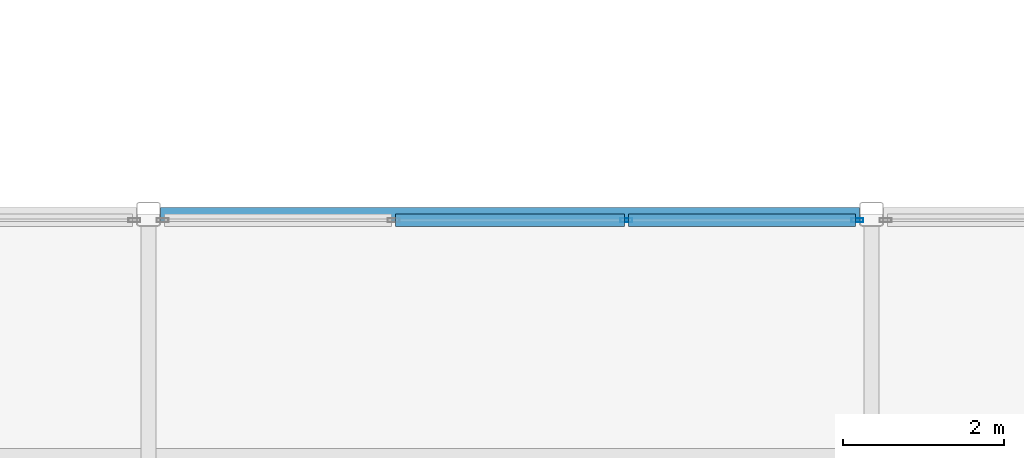
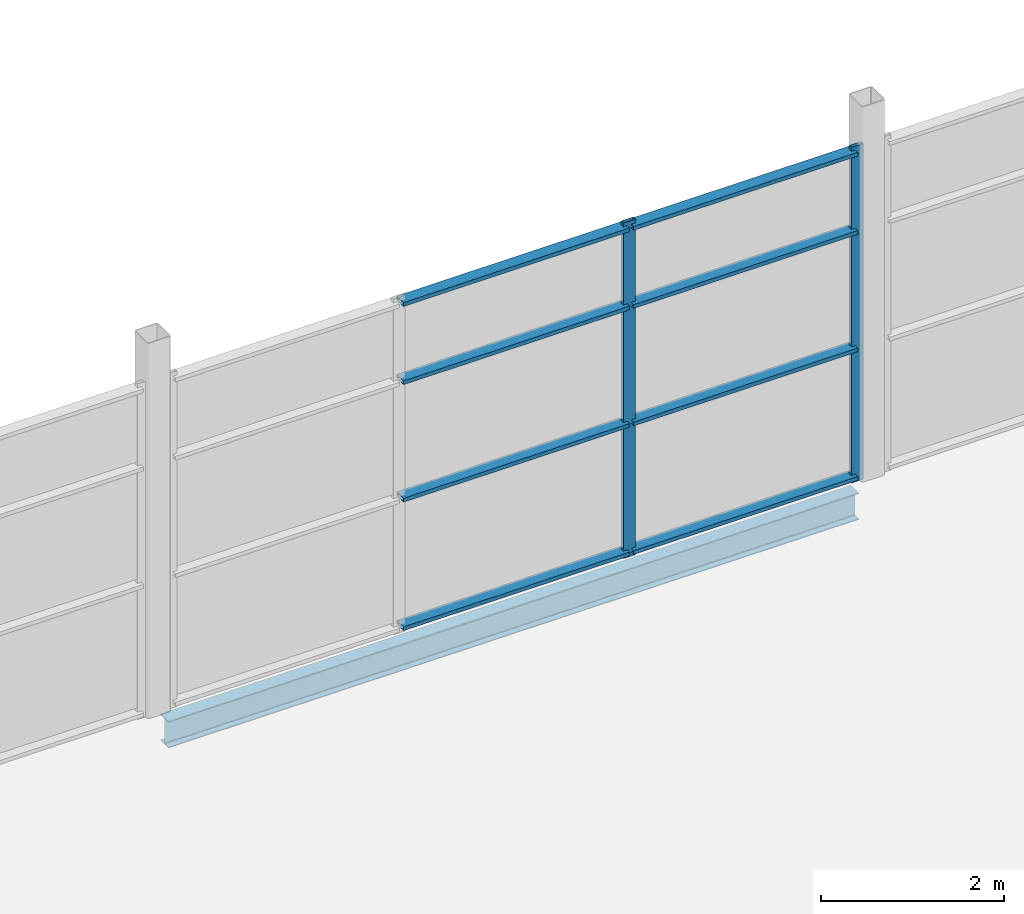
# One storey, part 61 of 112: 10 members, 1 beam, 1 element without a shape of its own.
"""IFC4 building model written with IfcOpenShell, lengths in metres."""

from ifc_helpers import new_model, si_unit, direction, frame, origin, origin_2d, place, context, subcontext, project, spatial, hollow_rectangle, i_section, extrude, material, layer, layer_set, material_profile, profile_set, type_object, element, aggregate, save


model = new_model("IFC4")

# Units and contexts
model_context = context("Model", 3, precision=1e-05, world=origin(), true_north=direction((0.0, 1.0)))
body_context = subcontext(model_context, "Body", "Model", "MODEL_VIEW")
ifc_project = project(units=[si_unit("LENGTHUNIT", "METRE"), si_unit("AREAUNIT", "SQUARE_METRE"), si_unit("VOLUMEUNIT", "CUBIC_METRE"), si_unit("PLANEANGLEUNIT", "RADIAN"), si_unit("MASSUNIT", "GRAM", prefix="KILO")], contexts=[model_context])

# Site, building, storey
site_placement = place(None, origin())
site = spatial("IfcSite", under=ifc_project, at=site_placement, CompositionType="ELEMENT")
building_placement = place(site_placement, origin())
building = spatial("IfcBuilding", under=site, at=building_placement, Name="Shorebreak Coast Museum", CompositionType="ELEMENT")
storey_placement = place(building_placement, frame((0.0, 0.0, 6.0)))
storey = spatial("IfcBuildingStorey", under=building, at=storey_placement, Name="L01", CompositionType="ELEMENT", Elevation=6.0)

# Beam
ifc_material_1 = material(Name="Steel Grade 300", Category="steel")
ifc_material_profile_1 = material_profile(ifc_material_1, i_section(OverallWidth=0.1708984375, OverallDepth=0.355712890625, WebThickness=0.00732421875, FlangeThickness=0.011474609375, FilletRadius=0.011474609375, at=origin_2d()), Name="360UB50.7")
ifc_profile_set_1 = profile_set([ifc_material_profile_1], Name="Steel Grade 300")
beam_type = type_object("IfcBeamType", Name="Floor girder east-west 360UB50.7", PredefinedType="BEAM", material=ifc_profile_set_1)
beam_placement = place(storey_placement, frame((135.14990234375, 90.0, -0.352783203125), z_axis=(1.0, 0.0, 0.0), x_axis=(0.0, 1.0, 0.0)))
element("IfcBeam", 1, at=beam_placement, inside=storey, type_object=beam_type, Name="Floor girder east-west L01 16L", PredefinedType="BEAM", context=body_context, shape_type="SweptSolid", body=[
    extrude(i_section(OverallWidth=0.1708984375, OverallDepth=0.355712890625, WebThickness=0.00732421875, FlangeThickness=0.011474609375, FilletRadius=0.011474609375, at=origin_2d()), origin(), (0.0, 0.0, 1.0), 8.7001953125),
])

# Curtain wall, members
ifc_material_2 = material(Name="Aluminium", Category="aluminium")
ifc_layer = layer(ifc_material_2, 0.14990234375)
ifc_layer_set = layer_set([ifc_layer], Name="Aluminium")
curtain_wall_type = type_object("IfcCurtainWallType", Name="Storefront curtain wall", PredefinedType="NOTDEFINED", material=ifc_layer_set)
curtain_wall_placement = place(storey_placement, origin())
curtain_wall = element("IfcCurtainWall", 2, at=curtain_wall_placement, inside=storey, type_object=curtain_wall_type, Name="Storefront L01 N 15", PredefinedType="NOTDEFINED")
ifc_material_3 = material(Name="Aluminium", Category="aluminium")
ifc_material_profile_2 = material_profile(ifc_material_3, hollow_rectangle(XDim=0.050048828125, YDim=0.14990234375, WallThickness=0.00390625, at=origin_2d()), Name="AL 150x50 RHS")
ifc_profile_set_2 = profile_set([ifc_material_profile_2], Name="Aluminium")
member_type_1 = type_object("IfcMemberType", Name="Storefront mullion 50 x 150", PredefinedType="MULLION", material=ifc_profile_set_2)
member_1_placement = place(storey_placement, frame((140.949951171875, 89.925048828125, 0.0), z_axis=(0.0, 0.0, 1.0), x_axis=(0.0, 1.0, 0.0)))
member_1 = element("IfcMember", 3, at=member_1_placement, type_object=member_type_1, Name="CW8 mullion 3", PredefinedType="MULLION", context=body_context, shape_type="SweptSolid", body=[
    extrude(hollow_rectangle(XDim=0.050048828125, YDim=0.14990234375, WallThickness=0.00390625, at=origin_2d()), origin(), (0.0, 0.0, 1.0), 4.469482421875),
])
member_2_placement = place(storey_placement, frame((143.824951171875, 89.925048828125, 0.0), z_axis=(0.0, 0.0, 1.0), x_axis=(0.0, 1.0, 0.0)))
member_2 = element("IfcMember", 4, at=member_2_placement, type_object=member_type_1, Name="CW8 mullion 4", PredefinedType="MULLION", context=body_context, shape_type="SweptSolid", body=[
    extrude(hollow_rectangle(XDim=0.050048828125, YDim=0.14990234375, WallThickness=0.00390625, at=origin_2d()), origin(), (0.0, 0.0, 1.0), 4.469482421875),
])
ifc_material_4 = material(Name="Aluminium", Category="aluminium")
ifc_material_profile_3 = material_profile(ifc_material_4, hollow_rectangle(XDim=0.14990234375, YDim=0.050048828125, WallThickness=0.00390625, at=origin_2d()), Name="AL 50x150 RHS")
ifc_profile_set_3 = profile_set([ifc_material_profile_3], Name="Aluminium")
member_type_2 = type_object("IfcMemberType", Name="Storefront transom 150 x 50", PredefinedType="USERDEFINED", material=ifc_profile_set_3)
member_3_placement = place(storey_placement, frame((138.074951171875, 89.925048828125, 0.074951171875), z_axis=(1.0, 0.0, 0.0), x_axis=(0.0, 1.0, 0.0)))
member_3 = element("IfcMember", 5, at=member_3_placement, type_object=member_type_2, Name="CW8 transom 2.1", ObjectType="TRANSOM", PredefinedType="USERDEFINED", context=body_context, shape_type="SweptSolid", body=[
    extrude(hollow_rectangle(XDim=0.14990234375, YDim=0.050048828125, WallThickness=0.00390625, at=origin_2d()), origin(), (0.0, 0.0, 1.0), 2.85009765625),
])
member_4_placement = place(storey_placement, frame((138.074951171875, 89.925048828125, 1.787841796875), z_axis=(1.0, 0.0, 0.0), x_axis=(0.0, 1.0, 0.0)))
member_4 = element("IfcMember", 6, at=member_4_placement, type_object=member_type_2, Name="CW8 transom 2.2", ObjectType="TRANSOM", PredefinedType="USERDEFINED", context=body_context, shape_type="SweptSolid", body=[
    extrude(hollow_rectangle(XDim=0.14990234375, YDim=0.050048828125, WallThickness=0.00390625, at=origin_2d()), origin(), (0.0, 0.0, 1.0), 2.85009765625),
])
member_5_placement = place(storey_placement, frame((138.074951171875, 89.925048828125, 3.35205078125), z_axis=(1.0, 0.0, 0.0), x_axis=(0.0, 1.0, 0.0)))
member_5 = element("IfcMember", 7, at=member_5_placement, type_object=member_type_2, Name="CW8 transom 2.3", ObjectType="TRANSOM", PredefinedType="USERDEFINED", context=body_context, shape_type="SweptSolid", body=[
    extrude(hollow_rectangle(XDim=0.14990234375, YDim=0.050048828125, WallThickness=0.00390625, at=origin_2d()), origin(), (0.0, 0.0, 1.0), 2.85009765625),
])
member_6_placement = place(storey_placement, frame((138.074951171875, 89.925048828125, 4.394287109375), z_axis=(1.0, 0.0, 0.0), x_axis=(0.0, 1.0, 0.0)))
member_6 = element("IfcMember", 8, at=member_6_placement, type_object=member_type_2, Name="CW8 transom 2.4", ObjectType="TRANSOM", PredefinedType="USERDEFINED", context=body_context, shape_type="SweptSolid", body=[
    extrude(hollow_rectangle(XDim=0.14990234375, YDim=0.050048828125, WallThickness=0.00390625, at=origin_2d()), origin(), (0.0, 0.0, 1.0), 2.85009765625),
])
member_7_placement = place(storey_placement, frame((140.97509765625, 89.925048828125, 0.074951171875), z_axis=(1.0, 0.0, 0.0), x_axis=(0.0, 1.0, 0.0)))
member_7 = element("IfcMember", 9, at=member_7_placement, type_object=member_type_2, Name="CW8 transom 3.1", ObjectType="TRANSOM", PredefinedType="USERDEFINED", context=body_context, shape_type="SweptSolid", body=[
    extrude(hollow_rectangle(XDim=0.14990234375, YDim=0.050048828125, WallThickness=0.00390625, at=origin_2d()), origin(), (0.0, 0.0, 1.0), 2.824951171875),
])
member_8_placement = place(storey_placement, frame((140.97509765625, 89.925048828125, 1.787841796875), z_axis=(1.0, 0.0, 0.0), x_axis=(0.0, 1.0, 0.0)))
member_8 = element("IfcMember", 10, at=member_8_placement, type_object=member_type_2, Name="CW8 transom 3.2", ObjectType="TRANSOM", PredefinedType="USERDEFINED", context=body_context, shape_type="SweptSolid", body=[
    extrude(hollow_rectangle(XDim=0.14990234375, YDim=0.050048828125, WallThickness=0.00390625, at=origin_2d()), origin(), (0.0, 0.0, 1.0), 2.824951171875),
])
member_9_placement = place(storey_placement, frame((140.97509765625, 89.925048828125, 3.35205078125), z_axis=(1.0, 0.0, 0.0), x_axis=(0.0, 1.0, 0.0)))
member_9 = element("IfcMember", 11, at=member_9_placement, type_object=member_type_2, Name="CW8 transom 3.3", ObjectType="TRANSOM", PredefinedType="USERDEFINED", context=body_context, shape_type="SweptSolid", body=[
    extrude(hollow_rectangle(XDim=0.14990234375, YDim=0.050048828125, WallThickness=0.00390625, at=origin_2d()), origin(), (0.0, 0.0, 1.0), 2.824951171875),
])
member_10_placement = place(storey_placement, frame((140.97509765625, 89.925048828125, 4.394287109375), z_axis=(1.0, 0.0, 0.0), x_axis=(0.0, 1.0, 0.0)))
member_10 = element("IfcMember", 12, at=member_10_placement, type_object=member_type_2, Name="CW8 transom 3.4", ObjectType="TRANSOM", PredefinedType="USERDEFINED", context=body_context, shape_type="SweptSolid", body=[
    extrude(hollow_rectangle(XDim=0.14990234375, YDim=0.050048828125, WallThickness=0.00390625, at=origin_2d()), origin(), (0.0, 0.0, 1.0), 2.824951171875),
])
aggregate(curtain_wall, [member_1, member_2, member_3, member_4, member_5, member_6, member_7, member_8, member_9, member_10])

save(model, "model.ifc")
